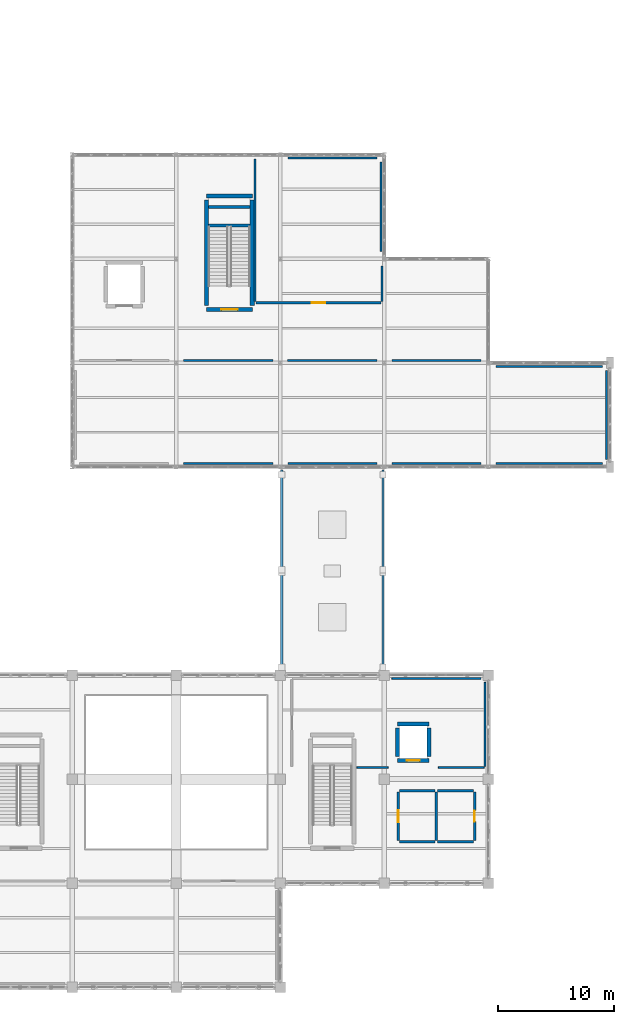
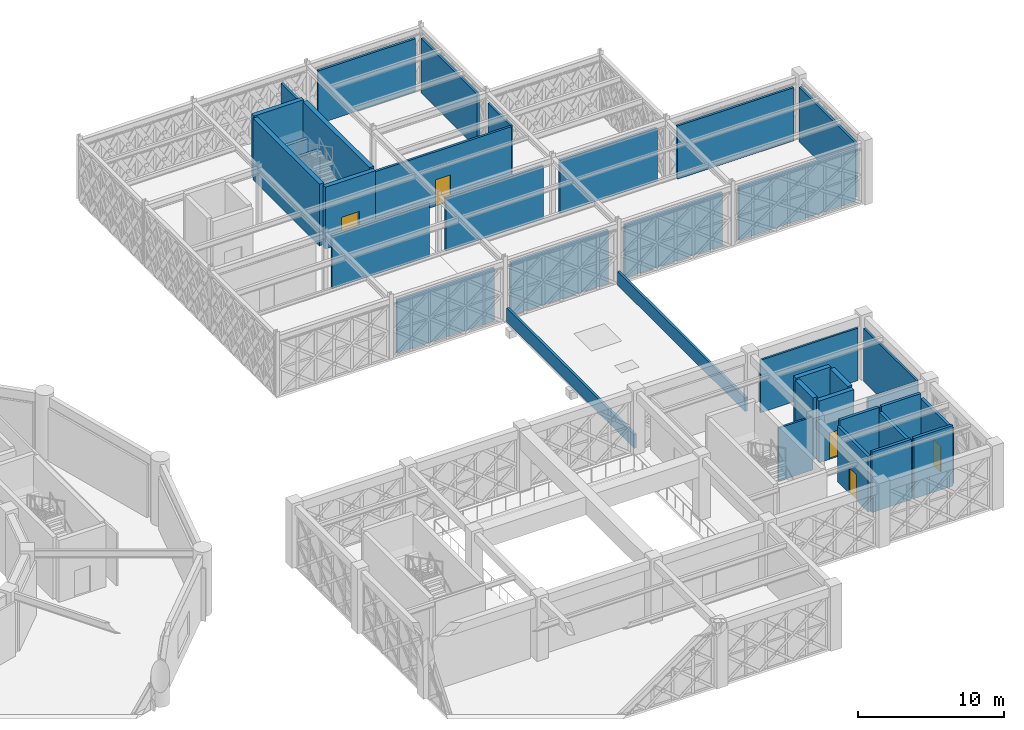
# One storey, part 137 of 155: 37 walls, 5 doors, 5 openings.
"""IFC4 building model written with IfcOpenShell, lengths in metres."""

from ifc_helpers import new_model, si_unit, direction, frame, frame_2d, origin, place, context, subcontext, project, spatial, rectangle, extrude, material, layer, layer_set, type_object, element, fill, save


model = new_model("IFC4")

# Units and contexts
model_context = context("Model", 3, precision=1e-05, world=origin(), true_north=direction((0.0, 1.0)))
body_context = subcontext(model_context, "Body", "Model", "MODEL_VIEW")
ifc_project = project(units=[si_unit("LENGTHUNIT", "METRE"), si_unit("AREAUNIT", "SQUARE_METRE"), si_unit("VOLUMEUNIT", "CUBIC_METRE"), si_unit("PLANEANGLEUNIT", "RADIAN"), si_unit("MASSUNIT", "GRAM", prefix="KILO")], contexts=[model_context])

# Site, building, storey
site_placement = place(None, origin())
site = spatial("IfcSite", under=ifc_project, at=site_placement, CompositionType="ELEMENT")
building_placement = place(site_placement, origin())
building = spatial("IfcBuilding", under=site, at=building_placement, Name="Haizhuo Lancet Aquarium", CompositionType="ELEMENT")
storey_placement = place(building_placement, frame((0.0, 0.0, 10.800048828125)))
storey = spatial("IfcBuildingStorey", under=building, at=storey_placement, Name="L02", CompositionType="ELEMENT", Elevation=10.800048828125)

# Walls
ifc_material_1 = material(Name="Shandong Grey Limestone Ashlar", Category="masonry")
ifc_layer_1 = layer(ifc_material_1, 0.18994140625)
ifc_layer_set_1 = layer_set([ifc_layer_1], Name="Shandong Grey Limestone Ashlar")
wall_type_1 = type_object("IfcWallType", Name="EWL-PAR-190", PredefinedType="PARAPET", material=ifc_layer_set_1)
for number, where, z_axis, x_axis, name in (
    (1, (54.1201171875, -8.72998046875, 0.0), (0.0, 0.0, 1.0), (0.0, 1.0, 0.0), "Sky-bridge roof parapet SB-02 W"),
    (2, (62.8798828125, -8.72998046875, 0.0), (0.0, 0.0, 1.0), (0.0, 1.0, 0.0), "Sky-bridge roof parapet SB-02 E"),
):
    element("IfcWall", number, at=place(storey_placement, frame(where, z_axis=z_axis, x_axis=x_axis)), inside=storey, type_object=wall_type_1, Name=name, PredefinedType="PARAPET", context=body_context, shape_type="SweptSolid", body=[
        extrude(rectangle(XDim=17.4599609375, YDim=0.18994140625, at=frame_2d((8.72998046875, 0.0))), origin(), (0.0, 0.0, 1.0), 1.14990234375),
    ])
ifc_material_2 = material(Name="Concrete C40/50", Category="concrete")
ifc_layer_2 = layer(ifc_material_2, 0.179931640625)
ifc_layer_set_2 = layer_set([ifc_layer_2], Name="Concrete C40/50")
wall_type_2 = type_object("IfcWallType", Name="IWL-LAB-180", PredefinedType="PARTITIONING", material=ifc_layer_set_2)
for number, where, z_axis, x_axis, name in (
    (3, (45.64990234375, 9.300048828125, 0.0), (0.0, 0.0, 1.0), (1.0, 0.0, 0.0), "L02 partition wall 427"),
    (4, (54.64990234375, 9.300048828125, 0.0), (0.0, 0.0, 1.0), (1.0, 0.0, 0.0), "L02 partition wall 428"),
    (5, (63.64990234375, 9.300048828125, 0.0), (0.0, 0.0, 1.0), (1.0, 0.0, 0.0), "L02 partition wall 429"),
):
    element("IfcWall", number, at=place(storey_placement, frame(where, z_axis=z_axis, x_axis=x_axis)), inside=storey, type_object=wall_type_2, Name=name, PredefinedType="PARTITIONING", context=body_context, shape_type="SweptSolid", body=[
        extrude(rectangle(XDim=7.7001953125, YDim=0.179931640625, at=frame_2d((3.85009765625, 0.0))), origin(), (0.0, 0.0, 1.0), 4.447021484375),
    ])
wall_1_placement = place(storey_placement, frame((72.64990234375, 9.300048828125, 0.0), z_axis=(0.0, 0.0, 1.0), x_axis=(0.999999977515, 0.000212060963, 0.0)))
element("IfcWall", 6, at=wall_1_placement, inside=storey, type_object=wall_type_2, Name="L02 partition wall 430", PredefinedType="PARTITIONING", context=body_context, shape_type="SweptSolid", body=[
    extrude(rectangle(XDim=9.210205078125, YDim=0.179931640625, at=frame_2d((4.60498046875, 0.0))), origin(), (0.0, 0.0, 1.0), 4.447021484375),
])
wall_2_placement = place(storey_placement, frame((82.199951171875, 9.64990234375, 0.0), z_axis=(0.0, 0.0, 1.0), x_axis=(-0.00025331686, 0.999999967915, 0.0)))
element("IfcWall", 7, at=wall_2_placement, inside=storey, type_object=wall_type_2, Name="L02 partition wall 431", PredefinedType="PARTITIONING", context=body_context, shape_type="SweptSolid", body=[
    extrude(rectangle(XDim=7.710205078125, YDim=0.179931640625, at=frame_2d((3.85498046875, 0.0))), origin(), (0.0, 0.0, 1.0), 4.546875),
])
wall_3_placement = place(storey_placement, frame((81.85009765625, 17.699951171875, 0.0), z_axis=(0.0, 0.0, 1.0), x_axis=(-1.0, 0.0, 0.0)))
element("IfcWall", 8, at=wall_3_placement, inside=storey, type_object=wall_type_2, Name="L02 partition wall 432", PredefinedType="PARTITIONING", context=body_context, shape_type="SweptSolid", body=[
    extrude(rectangle(XDim=9.2001953125, YDim=0.179931640625, at=frame_2d((4.60009765625, 0.0))), origin(), (0.0, 0.0, 1.0), 4.447021484375),
])
for number, where, z_axis, x_axis, name in (
    (9, (71.35009765625, 18.199951171875, 0.0), (0.0, 0.0, 1.0), (-1.0, 0.0, 0.0), "L02 partition wall 433"),
    (10, (62.35009765625, 18.199951171875, 0.0), (0.0, 0.0, 1.0), (-1.0, 0.0, 0.0), "L02 partition wall 434"),
    (11, (53.35009765625, 18.199951171875, 0.0), (0.0, 0.0, 1.0), (-1.0, 0.0, 0.0), "L02 partition wall 435"),
):
    element("IfcWall", number, at=place(storey_placement, frame(where, z_axis=z_axis, x_axis=x_axis)), inside=storey, type_object=wall_type_2, Name=name, PredefinedType="PARTITIONING", context=body_context, shape_type="SweptSolid", body=[
        extrude(rectangle(XDim=7.710205078125, YDim=0.179931640625, at=frame_2d((3.85498046875, 0.0))), origin(), (0.0, 0.0, 1.0), 4.447021484375),
    ])
wall_4_placement = place(storey_placement, frame((51.800048828125, 35.610107421875, 0.0), z_axis=(0.0, 0.0, 1.0), x_axis=(0.0, -1.0, 0.0)))
element("IfcWall", 12, at=wall_4_placement, inside=storey, type_object=wall_type_2, Name="L02 partition wall 438", PredefinedType="PARTITIONING", context=body_context, shape_type="SweptSolid", body=[
    extrude(rectangle(XDim=12.31005859375, YDim=0.179931640625, at=frame_2d((6.155029296875, 0.0))), origin(), (0.0, 0.0, 1.0), 4.447021484375),
])

# Wall, opening, door
wall_5_placement = place(storey_placement, frame((51.89990234375, 23.199951171875, 0.0), z_axis=(0.0, 0.0, 1.0), x_axis=(1.0, 0.0, 0.0)))
wall_5 = element("IfcWall", 13, at=wall_5_placement, inside=storey, type_object=wall_type_2, Name="L02 partition wall 439", PredefinedType="PARTITIONING", context=body_context, shape_type="SweptSolid", body=[
    extrude(rectangle(XDim=10.800048828125, YDim=0.179931640625, at=frame_2d((5.39990234375, 0.0))), origin(), (0.0, 0.0, 1.0), 4.546875),
])
opening_1_placement = place(wall_5_placement, frame((4.800048828125, 0.0, 0.0)))
opening_1 = element("IfcOpeningElement", 14, at=opening_1_placement, cuts=wall_5, Name="Opening D-04", PredefinedType="OPENING", context=body_context, shape_type="SweptSolid", body=[
    extrude(rectangle(XDim=1.199951171875, YDim=2.199951171875, at=frame_2d((0.60009765625, 1.10009765625))), frame((0.0, 0.099853515625, 0.0), z_axis=(0.0, -1.0, 0.0), x_axis=(1.0, 0.0, 0.0)), (0.0, 0.0, 1.0), 0.199932),
])
ifc_material_3 = material(Name="Steel S355", Category="steel")
door_type_1 = type_object("IfcDoorType", Name="IDR-LAB-1200x2200", OperationType="NOTDEFINED", PredefinedType="DOOR", material=ifc_material_3)
door_1_placement = place(opening_1_placement, origin())
door_1 = element("IfcDoor", 15, at=door_1_placement, inside=storey, type_object=door_type_1, Name="L02 Water Quality Analytical Laboratory door", OperationType="SINGLE_SWING_LEFT", OverallHeight=2.199951171875, OverallWidth=1.199951171875, PredefinedType="DOOR", context=body_context, shape_type="SweptSolid", body=[
    extrude(rectangle(XDim=1.199951171875, YDim=2.199951171875, at=frame_2d((0.60009765625, 1.10009765625))), frame((0.0, 0.02490234375, 0.0), z_axis=(0.0, -1.0, 0.0), x_axis=(1.0, 0.0, 0.0)), (0.0, 0.0, 1.0), 0.050048828125),
])
fill(opening_1, door_1)

# Walls
wall_6_placement = place(storey_placement, frame((62.800048828125, 23.300048828125, 0.0), z_axis=(0.0, 0.0, 1.0), x_axis=(0.0, 1.0, 0.0)))
element("IfcWall", 16, at=wall_6_placement, inside=storey, type_object=wall_type_2, Name="L02 partition wall 440", PredefinedType="PARTITIONING", context=body_context, shape_type="SweptSolid", body=[
    extrude(rectangle(XDim=3.06005859375, YDim=0.179931640625, at=frame_2d((1.530029296875, 0.0))), origin(), (0.0, 0.0, 1.0), 4.534912109375),
])
wall_7_placement = place(storey_placement, frame((62.699951171875, 27.64990234375, 0.0), z_axis=(0.0, 0.0, 1.0), x_axis=(0.0, 1.0, 0.0)))
element("IfcWall", 17, at=wall_7_placement, inside=storey, type_object=wall_type_2, Name="L02 partition wall 441", PredefinedType="PARTITIONING", context=body_context, shape_type="SweptSolid", body=[
    extrude(rectangle(XDim=7.7001953125, YDim=0.179931640625, at=frame_2d((3.85009765625, 0.0))), origin(), (0.0, 0.0, 1.0), 4.546875),
])
wall_8_placement = place(storey_placement, frame((62.35009765625, 35.699951171875, 0.0), z_axis=(0.0, 0.0, 1.0), x_axis=(-1.0, 0.0, 0.0)))
element("IfcWall", 18, at=wall_8_placement, inside=storey, type_object=wall_type_2, Name="L02 partition wall 442", PredefinedType="PARTITIONING", context=body_context, shape_type="SweptSolid", body=[
    extrude(rectangle(XDim=7.7001953125, YDim=0.179931640625, at=frame_2d((3.85009765625, 0.0))), origin(), (0.0, 0.0, 1.0), 4.447021484375),
])

# Wall, opening, door
ifc_layer_3 = layer(ifc_material_2, 0.219970703125)
ifc_layer_set_3 = layer_set([ifc_layer_3], Name="Concrete C40/50")
wall_type_3 = type_object("IfcWallType", Name="IWL-PLB-220", PredefinedType="PLUMBINGWALL", material=ifc_layer_set_3)
wall_9_placement = place(storey_placement, frame((64.199951171875, -19.10009765625, 0.0), z_axis=(0.0, 0.0, 1.0), x_axis=(0.0, -1.0, 0.0)))
wall_9 = element("IfcWall", 19, at=wall_9_placement, inside=storey, type_object=wall_type_3, Name="L02 partition wall 341", PredefinedType="PLUMBINGWALL", context=body_context, shape_type="SweptSolid", body=[
    extrude(rectangle(XDim=4.199951171875, YDim=0.219970703125, at=frame_2d((2.10009765625, 0.0))), origin(), (0.0, 0.0, 1.0), 4.64501953125),
])
opening_2_placement = place(wall_9_placement, frame((1.574951171875, 0.0, 0.0)))
opening_2 = element("IfcOpeningElement", 20, at=opening_2_placement, cuts=wall_9, Name="Opening D-08", PredefinedType="OPENING", context=body_context, shape_type="SweptSolid", body=[
    extrude(rectangle(XDim=1.050048828125, YDim=2.14990234375, at=frame_2d((0.52490234375, 1.074951171875))), frame((0.0, 0.119873046875, 0.0), z_axis=(0.0, -1.0, 0.0), x_axis=(1.0, 0.0, 0.0)), (0.0, 0.0, 1.0), 0.239971),
])
ifc_material_4 = material(Name="Aluminium 6063-T6", Category="aluminium")
door_type_2 = type_object("IfcDoorType", Name="IDR-AWC-1050x2150", OperationType="NOTDEFINED", PredefinedType="DOOR", material=ifc_material_4)
door_2_placement = place(opening_2_placement, origin())
door_2 = element("IfcDoor", 21, at=door_2_placement, inside=storey, type_object=door_type_2, Name="L02 Second Floor Accessible WC door", OperationType="SINGLE_SWING_RIGHT", OverallHeight=2.14990234375, OverallWidth=1.050048828125, PredefinedType="DOOR", context=body_context, shape_type="SweptSolid", body=[
    extrude(rectangle(XDim=1.050048828125, YDim=2.14990234375, at=frame_2d((0.52490234375, 1.074951171875))), frame((0.0, 0.02490234375, 0.0), z_axis=(0.0, -1.0, 0.0), x_axis=(1.0, 0.0, 0.0)), (0.0, 0.0, 1.0), 0.050048828125),
])
fill(opening_2, door_2)

# Walls
wall_10_placement = place(storey_placement, frame((64.300048828125, -23.39990234375, 0.0), z_axis=(0.0, 0.0, 1.0), x_axis=(1.0, 0.0, 0.0)))
element("IfcWall", 22, at=wall_10_placement, inside=storey, type_object=wall_type_3, Name="L02 partition wall 342", PredefinedType="PLUMBINGWALL", context=body_context, shape_type="SweptSolid", body=[
    extrude(rectangle(XDim=3.099853515625, YDim=0.219970703125, at=frame_2d((1.5498046875, 0.0))), origin(), (0.0, 0.0, 1.0), 5.050048828125),
])
wall_11_placement = place(storey_placement, frame((67.5, -23.300048828125, 0.0), z_axis=(0.0, 0.0, 1.0), x_axis=(0.0, 1.0, 0.0)))
element("IfcWall", 23, at=wall_11_placement, inside=storey, type_object=wall_type_3, Name="L02 partition wall 343", PredefinedType="PLUMBINGWALL", context=body_context, shape_type="SweptSolid", body=[
    extrude(rectangle(XDim=4.199951171875, YDim=0.219970703125, at=frame_2d((2.10009765625, 0.0))), origin(), (0.0, 0.0, 1.0), 4.64501953125),
])
for number, where, z_axis, x_axis, name in (
    (24, (67.39990234375, -19.0, 0.0), (0.0, 0.0, 1.0), (-1.0, 0.0, 0.0), "L02 partition wall 344"),
    (25, (67.60009765625, -23.39990234375, 0.0), (0.0, 0.0, 1.0), (1.0, 0.0, 0.0), "L02 partition wall 345"),
):
    element("IfcWall", number, at=place(storey_placement, frame(where, z_axis=z_axis, x_axis=x_axis)), inside=storey, type_object=wall_type_3, Name=name, PredefinedType="PLUMBINGWALL", context=body_context, shape_type="SweptSolid", body=[
        extrude(rectangle(XDim=3.099853515625, YDim=0.219970703125, at=frame_2d((1.5498046875, 0.0))), origin(), (0.0, 0.0, 1.0), 5.050048828125),
    ])

# Wall, opening, door
wall_12_placement = place(storey_placement, frame((70.800048828125, -23.300048828125, 0.0), z_axis=(0.0, 0.0, 1.0), x_axis=(0.0, 1.0, 0.0)))
wall_12 = element("IfcWall", 26, at=wall_12_placement, inside=storey, type_object=wall_type_3, Name="L02 partition wall 346", PredefinedType="PLUMBINGWALL", context=body_context, shape_type="SweptSolid", body=[
    extrude(rectangle(XDim=4.199951171875, YDim=0.219970703125, at=frame_2d((2.10009765625, 0.0))), origin(), (0.0, 0.0, 1.0), 4.64501953125),
])
opening_3_placement = place(wall_12_placement, frame((1.625, 0.0, 0.0)))
opening_3 = element("IfcOpeningElement", 27, at=opening_3_placement, cuts=wall_12, Name="Opening D-07", PredefinedType="OPENING", context=body_context, shape_type="SweptSolid", body=[
    extrude(rectangle(XDim=0.949951171875, YDim=2.14990234375, at=frame_2d((0.47509765625, 1.074951171875))), frame((0.0, 0.119873046875, 0.0), z_axis=(0.0, -1.0, 0.0), x_axis=(1.0, 0.0, 0.0)), (0.0, 0.0, 1.0), 0.239971),
])
door_type_3 = type_object("IfcDoorType", Name="IDR-WC-950x2150", OperationType="NOTDEFINED", PredefinedType="DOOR", material=ifc_material_4)
door_3_placement = place(opening_3_placement, origin())
door_3 = element("IfcDoor", 28, at=door_3_placement, inside=storey, type_object=door_type_3, Name="L02 Second Floor Public WC door", OperationType="SINGLE_SWING_LEFT", OverallHeight=2.14990234375, OverallWidth=0.949951171875, PredefinedType="DOOR", context=body_context, shape_type="SweptSolid", body=[
    extrude(rectangle(XDim=0.949951171875, YDim=2.14990234375, at=frame_2d((0.47509765625, 1.074951171875))), frame((0.0, 0.02490234375, 0.0), z_axis=(0.0, -1.0, 0.0), x_axis=(1.0, 0.0, 0.0)), (0.0, 0.0, 1.0), 0.050048828125),
])
fill(opening_3, door_3)

# Walls
wall_13_placement = place(storey_placement, frame((70.699951171875, -19.0, 0.0), z_axis=(0.0, 0.0, 1.0), x_axis=(-1.0, 0.0, 0.0)))
element("IfcWall", 29, at=wall_13_placement, inside=storey, type_object=wall_type_3, Name="L02 partition wall 347", PredefinedType="PLUMBINGWALL", context=body_context, shape_type="SweptSolid", body=[
    extrude(rectangle(XDim=3.099853515625, YDim=0.219970703125, at=frame_2d((1.5498046875, 0.0))), origin(), (0.0, 0.0, 1.0), 5.050048828125),
])
ifc_material_5 = material(Name="Gypsum Fireboard Partition")
ifc_layer_4 = layer(ifc_material_5, 0.14990234375)
ifc_layer_set_4 = layer_set([ifc_layer_4], Name="Gypsum Fireboard Partition")
wall_type_4 = type_object("IfcWallType", Name="IWL-STD-150", PredefinedType="PARTITIONING", material=ifc_layer_set_4)
wall_14_placement = place(storey_placement, frame((60.6298828125, -16.998046875, 0.0), z_axis=(0.0, 0.0, 1.0), x_axis=(1.0, 0.0, 0.0)))
element("IfcWall", 30, at=wall_14_placement, inside=storey, type_object=wall_type_4, Name="L02 partition wall 370", PredefinedType="PARTITIONING", context=body_context, shape_type="SweptSolid", body=[
    extrude(rectangle(XDim=2.695068359375, YDim=0.14990234375, at=frame_2d((1.34765625, 0.0))), origin(), (0.0, 0.0, 1.0), 4.445068359375),
])
wall_15_placement = place(storey_placement, frame((67.675048828125, -16.9970703125, 0.0), z_axis=(0.0, 0.0, 1.0), x_axis=(0.999999969498, 0.000246989804, 0.0)))
element("IfcWall", 31, at=wall_15_placement, inside=storey, type_object=wall_type_4, Name="L02 partition wall 371", PredefinedType="PARTITIONING", context=body_context, shape_type="SweptSolid", body=[
    extrude(rectangle(XDim=3.953857421875, YDim=0.14990234375, at=frame_2d((1.97705078125, 0.0))), origin(), (0.0, 0.0, 1.0), 4.445068359375),
])
wall_16_placement = place(storey_placement, frame((71.699951171875, -16.89990234375, 0.0), z_axis=(0.0, 0.0, 1.0), x_axis=(-0.000538050163, 0.999999855251, 0.0)))
element("IfcWall", 32, at=wall_16_placement, inside=storey, type_object=wall_type_4, Name="L02 partition wall 372", PredefinedType="PARTITIONING", context=body_context, shape_type="SweptSolid", body=[
    extrude(rectangle(XDim=7.260009765625, YDim=0.14990234375, at=frame_2d((3.6298828125, 0.0))), origin(), (0.0, 0.0, 1.0), 4.445068359375),
])
wall_17_placement = place(storey_placement, frame((71.35009765625, -9.300048828125, 0.0), z_axis=(0.0, 0.0, 1.0), x_axis=(-1.0, 0.0, 0.0)))
element("IfcWall", 33, at=wall_17_placement, inside=storey, type_object=wall_type_4, Name="L02 partition wall 373", PredefinedType="PARTITIONING", context=body_context, shape_type="SweptSolid", body=[
    extrude(rectangle(XDim=7.7001953125, YDim=0.14990234375, at=frame_2d((3.85009765625, 0.0))), origin(), (0.0, 0.0, 1.0), 4.39501953125),
])
ifc_layer_5 = layer(ifc_material_2, 0.35009765625)
ifc_layer_set_5 = layer_set([ifc_layer_5], Name="Concrete C40/50")
wall_type_5 = type_object("IfcWallType", Name="WL-CORE-350", PredefinedType="SHEAR", material=ifc_layer_set_5)
for number, where, z_axis, x_axis, name in (
    (34, (47.800048828125, 29.875, 0.0), (0.0, 0.0, 1.0), (1.0, 0.0, 0.0), "L02 ST-10 landing support wall"),
    (35, (47.800048828125, 31.47509765625, 0.0), (0.0, 0.0, 1.0), (1.0, 0.0, 0.0), "L02 ST-10 far landing support wall"),
):
    element("IfcWall", number, at=place(storey_placement, frame(where, z_axis=z_axis, x_axis=x_axis)), inside=storey, type_object=wall_type_5, Name=name, PredefinedType="SHEAR", context=body_context, shape_type="SweptSolid", body=[
        extrude(rectangle(XDim=3.599853515625, YDim=0.25, at=frame_2d((1.7998046875, 0.0))), origin(), (0.0, 0.0, 1.0), 2.5),
    ])

# Wall, opening, door
wall_18_placement = place(storey_placement, frame((47.625, 22.625, 0.0), z_axis=(0.0, 0.0, 1.0), x_axis=(1.0, 0.0, 0.0)))
wall_18 = element("IfcWall", 36, at=wall_18_placement, inside=storey, type_object=wall_type_5, Name="L02 ST-10 core shear wall S", PredefinedType="SHEAR", context=body_context, shape_type="SweptSolid", body=[
    extrude(rectangle(XDim=3.949951171875, YDim=0.35009765625, at=frame_2d((1.97509765625, 0.0))), origin(), (0.0, 0.0, 1.0), 5.159912109375),
])
opening_4_placement = place(wall_18_placement, frame((1.27490234375, 0.0, 0.0)))
opening_4 = element("IfcOpeningElement", 37, at=opening_4_placement, cuts=wall_18, Name="Opening FD-01", PredefinedType="OPENING", context=body_context, shape_type="SweptSolid", body=[
    extrude(rectangle(XDim=1.39990234375, YDim=2.199951171875, at=frame_2d((0.699951171875, 1.10009765625))), frame((0.0, 0.18505859375, 0.0), z_axis=(0.0, -1.0, 0.0), x_axis=(1.0, 0.0, 0.0)), (0.0, 0.0, 1.0), 0.370098),
])
door_type_4 = type_object("IfcDoorType", Name="IDR-STAIR-1400x2200", OperationType="NOTDEFINED", PredefinedType="DOOR", material=ifc_material_3)
door_4_placement = place(opening_4_placement, origin())
door_4 = element("IfcDoor", 38, at=door_4_placement, inside=storey, type_object=door_type_4, Name="L02 ST-10 stairwell fire door", OperationType="SINGLE_SWING_LEFT", OverallHeight=2.199951171875, OverallWidth=1.39990234375, PredefinedType="DOOR", context=body_context, shape_type="SweptSolid", body=[
    extrude(rectangle(XDim=1.39990234375, YDim=2.199951171875, at=frame_2d((0.699951171875, 1.10009765625))), frame((0.0, 0.02490234375, 0.0), z_axis=(0.0, -1.0, 0.0), x_axis=(1.0, 0.0, 0.0)), (0.0, 0.0, 1.0), 0.050048828125),
])
fill(opening_4, door_4)

# Walls
wall_19_placement = place(storey_placement, frame((47.625, 32.425048828125, 0.0), z_axis=(0.0, 0.0, 1.0), x_axis=(1.0, 0.0, 0.0)))
element("IfcWall", 39, at=wall_19_placement, inside=storey, type_object=wall_type_5, Name="L02 ST-10 core shear wall N", PredefinedType="SHEAR", context=body_context, shape_type="SweptSolid", body=[
    extrude(rectangle(XDim=3.949951171875, YDim=0.35009765625, at=frame_2d((1.97509765625, 0.0))), origin(), (0.0, 0.0, 1.0), 5.159912109375),
])
for number, where, z_axis, x_axis, name in (
    (40, (47.625, 22.97509765625, 0.0), (0.0, 0.0, 1.0), (0.0, 1.0, 0.0), "L02 ST-10 core shear wall W"),
    (41, (51.574951171875, 22.97509765625, 0.0), (0.0, 0.0, 1.0), (0.0, 1.0, 0.0), "L02 ST-10 core shear wall E"),
):
    element("IfcWall", number, at=place(storey_placement, frame(where, z_axis=z_axis, x_axis=x_axis)), inside=storey, type_object=wall_type_5, Name=name, PredefinedType="SHEAR", context=body_context, shape_type="SweptSolid", body=[
        extrude(rectangle(XDim=9.099853515625, YDim=0.35009765625, at=frame_2d((4.5498046875, 0.0))), origin(), (0.0, 0.0, 1.0), 5.159912109375),
    ])

# Wall, opening, door
wall_20_placement = place(storey_placement, frame((64.125, -16.375, 0.0), z_axis=(0.0, 0.0, 1.0), x_axis=(1.0, 0.0, 0.0)))
wall_20 = element("IfcWall", 42, at=wall_20_placement, inside=storey, type_object=wall_type_5, Name="L02 LP-02 lift shaft wall -Y", PredefinedType="SHEAR", context=body_context, shape_type="SweptSolid", body=[
    extrude(rectangle(XDim=2.75, YDim=0.35009765625, at=frame_2d((1.375, 0.0))), origin(), (0.0, 0.0, 1.0), 5.159912109375),
])
opening_5_placement = place(wall_20_placement, frame((0.824951171875, 0.0, 0.0)))
opening_5 = element("IfcOpeningElement", 43, at=opening_5_placement, cuts=wall_20, Name="Opening LD-01", PredefinedType="OPENING", context=body_context, shape_type="SweptSolid", body=[
    extrude(rectangle(XDim=1.10009765625, YDim=2.199951171875, at=frame_2d((0.550048828125, 1.10009765625))), frame((0.0, 0.18505859375, 0.0), z_axis=(0.0, -1.0, 0.0), x_axis=(1.0, 0.0, 0.0)), (0.0, 0.0, 1.0), 0.370098),
])
door_type_5 = type_object("IfcDoorType", Name="IDR-LIFT-1100x2200", OperationType="NOTDEFINED", PredefinedType="DOOR", material=ifc_material_3)
door_5_placement = place(opening_5_placement, origin())
door_5 = element("IfcDoor", 44, at=door_5_placement, inside=storey, type_object=door_type_5, Name="L02 LP-02 sliding lift landing door", OperationType="DOUBLE_DOOR_SLIDING", OverallHeight=2.199951171875, OverallWidth=1.10009765625, PredefinedType="DOOR", context=body_context, shape_type="SweptSolid", body=[
    extrude(rectangle(XDim=1.10009765625, YDim=2.199951171875, at=frame_2d((0.550048828125, 1.10009765625))), frame((0.0, 0.02490234375, 0.0), z_axis=(0.0, -1.0, 0.0), x_axis=(1.0, 0.0, 0.0)), (0.0, 0.0, 1.0), 0.050048828125),
])
fill(opening_5, door_5)

# Walls
wall_21_placement = place(storey_placement, frame((66.875, -13.22509765625, 0.0), z_axis=(0.0, 0.0, 1.0), x_axis=(-1.0, 0.0, 0.0)))
element("IfcWall", 45, at=wall_21_placement, inside=storey, type_object=wall_type_5, Name="L02 LP-02 lift shaft wall +Y", PredefinedType="SHEAR", context=body_context, shape_type="SweptSolid", body=[
    extrude(rectangle(XDim=2.75, YDim=0.35009765625, at=frame_2d((1.375, 0.0))), origin(), (0.0, 0.0, 1.0), 5.159912109375),
])
for number, where, z_axis, x_axis, name in (
    (46, (64.125, -16.02490234375, 0.0), (0.0, 0.0, 1.0), (0.0, 1.0, 0.0), "L02 LP-02 lift shaft wall -X"),
    (47, (66.875, -16.02490234375, 0.0), (0.0, 0.0, 1.0), (0.0, 1.0, 0.0), "L02 LP-02 lift shaft wall +X"),
):
    element("IfcWall", number, at=place(storey_placement, frame(where, z_axis=z_axis, x_axis=x_axis)), inside=storey, type_object=wall_type_5, Name=name, PredefinedType="SHEAR", context=body_context, shape_type="SweptSolid", body=[
        extrude(rectangle(XDim=2.449951171875, YDim=0.35009765625, at=frame_2d((1.22509765625, 0.0))), origin(), (0.0, 0.0, 1.0), 5.159912109375),
    ])

save(model, "model.ifc")
